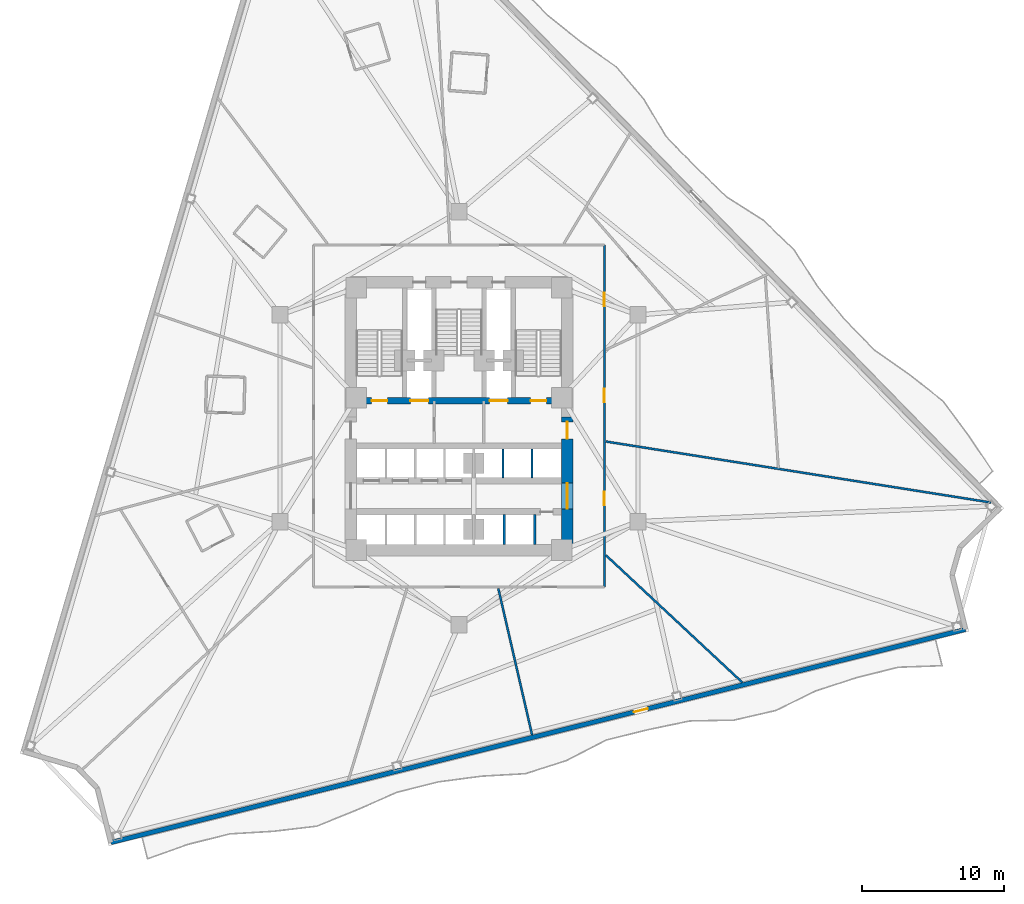
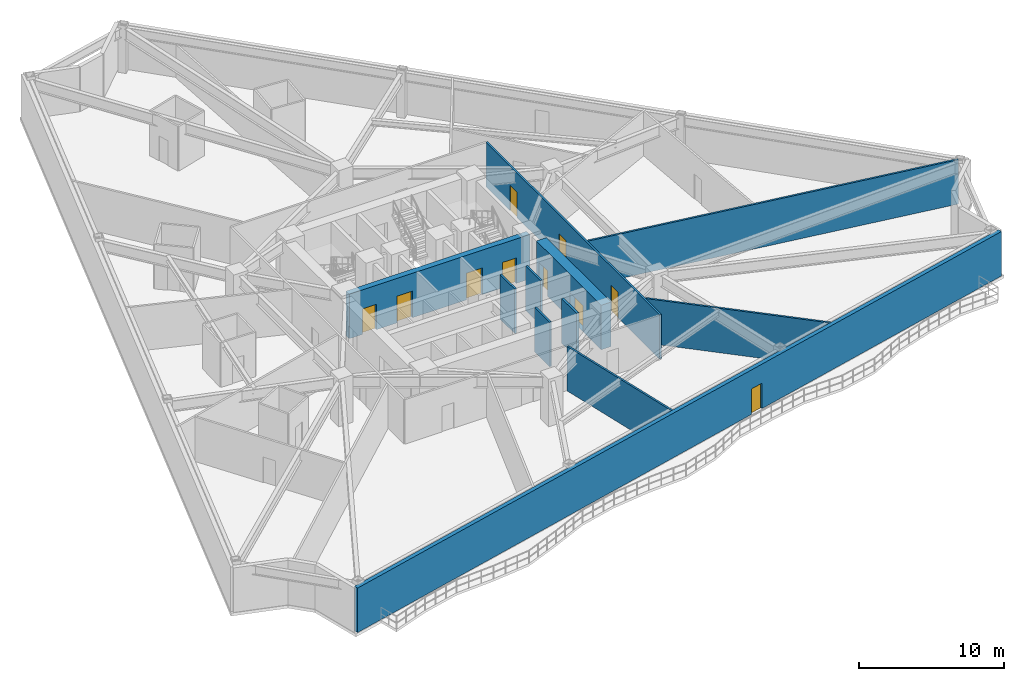
# One storey, part 4 of 9: 11 walls, 10 doors, 10 openings.
"""IFC4 building model written with IfcOpenShell, lengths in metres."""

from ifc_helpers import new_model, si_unit, direction, frame, frame_2d, origin, place, context, subcontext, project, spatial, rectangle, extrude, material, layer, layer_set, type_object, element, fill, save


model = new_model("IFC4")

# Units and contexts
model_context = context("Model", 3, precision=1e-05, world=origin(), true_north=direction((0.0, 1.0)))
body_context = subcontext(model_context, "Body", "Model", "MODEL_VIEW")
ifc_project = project(units=[si_unit("LENGTHUNIT", "METRE"), si_unit("AREAUNIT", "SQUARE_METRE"), si_unit("VOLUMEUNIT", "CUBIC_METRE"), si_unit("PLANEANGLEUNIT", "RADIAN"), si_unit("MASSUNIT", "GRAM", prefix="KILO")], contexts=[model_context])

# Site, building, storey
site_placement = place(None, origin())
site = spatial("IfcSite", under=ifc_project, at=site_placement, CompositionType="ELEMENT")
building_placement = place(site_placement, origin())
building = spatial("IfcBuilding", under=site, at=building_placement, Name="Apsidion Concourse Tower", CompositionType="ELEMENT")
storey_placement = place(building_placement, frame((0.0, 0.0, 111.0)))
storey = spatial("IfcBuildingStorey", under=building, at=storey_placement, Name="L25", CompositionType="ELEMENT", Elevation=111.0)

# Wall, opening, door
ifc_material_1 = material(Name="Precast concrete C40/50", Category="concrete")
ifc_layer_1 = layer(ifc_material_1, 0.320068359375)
ifc_layer_set_1 = layer_set([ifc_layer_1], Name="Precast concrete C40/50")
wall_type_1 = type_object("IfcWallType", Name="WL-EXT-320", PredefinedType="STANDARD", material=ifc_layer_set_1)
wall_1_placement = place(storey_placement, frame((35.546142578125, -14.818359375, 0.0), z_axis=(0.0, 0.0, 1.0), x_axis=(-0.970295883146, -0.241921266428, 0.0)))
wall_1 = element("IfcWall", 1, at=wall_1_placement, inside=storey, type_object=wall_type_1, Name="L25 Precast Stone Facade Wall 05", PredefinedType="STANDARD", context=body_context, shape_type="SweptSolid", body=[
    extrude(rectangle(XDim=61.810791015625, YDim=0.320068359375, at=frame_2d((30.9052734375, 0.0))), origin(), (0.0, 0.0, 1.0), 3.75),
])
opening_1_placement = place(wall_1_placement, frame((22.988037109375, 0.0, 0.0)))
opening_1 = element("IfcOpeningElement", 2, at=opening_1_placement, cuts=wall_1, Name="Opening D-T1R", PredefinedType="OPENING", context=body_context, shape_type="SweptSolid", body=[
    extrude(rectangle(XDim=1.0, YDim=2.14990234375, at=frame_2d((0.5, 1.074951171875))), frame((0.0, 0.169921875, 0.0), z_axis=(0.0, -1.0, 0.0), x_axis=(1.0, 0.0, 0.0)), (0.0, 0.0, 1.0), 0.340087890625),
])
ifc_material_2 = material(Name="Anodised aluminium EN AW-6063 T6", Category="aluminium")
door_type_1 = type_object("IfcDoorType", Name="DR-TER-1022R", OperationType="SINGLE_SWING_RIGHT", PredefinedType="DOOR", material=ifc_material_2)
door_1_placement = place(opening_1_placement, origin())
door_1 = element("IfcDoor", 3, at=door_1_placement, inside=storey, type_object=door_type_1, Name="L25 Balcony Access Door 1", OperationType="SINGLE_SWING_RIGHT", OverallHeight=2.14990234375, OverallWidth=1.0, PredefinedType="DOOR", context=body_context, shape_type="SweptSolid", body=[
    extrude(rectangle(XDim=1.0, YDim=2.14990234375, at=frame_2d((0.5, 1.074951171875))), frame((0.0, 0.02490234375, 0.0), z_axis=(0.0, -1.0, 0.0), x_axis=(1.0, 0.0, 0.0)), (0.0, 0.0, 1.0), 0.050048828125),
])
fill(opening_1, door_1)

# Walls
ifc_material_3 = material(Name="Gypsum plasterboard partition")
ifc_layer_2 = layer(ifc_material_3, 0.14990234375)
ifc_layer_set_2 = layer_set([ifc_layer_2], Name="Gypsum plasterboard partition")
wall_type_2 = type_object("IfcWallType", Name="WL-INT-PAR-150", PredefinedType="PARTITIONING", material=ifc_layer_set_2)
for number, where, z_axis, x_axis, name in (
    (4, (3.074951171875, -4.179931640625, 0.0), (0.0, 0.0, 1.0), (0.0, 1.0, 0.0), "L25 Interior Partition WL-L25-B3DIV-1"),
    (5, (5.125, -4.179931640625, 0.0), (0.0, 0.0, 1.0), (0.0, 1.0, 0.0), "L25 Interior Partition WL-L25-B3DIV-2"),
):
    element("IfcWall", number, at=place(storey_placement, frame(where, z_axis=z_axis, x_axis=x_axis)), inside=storey, type_object=wall_type_2, Name=name, PredefinedType="PARTITIONING", context=body_context, shape_type="SweptSolid", body=[
        extrude(rectangle(XDim=2.030029296875, YDim=0.14990234375, at=frame_2d((1.01513671875, 0.0))), origin(), (0.0, 0.0, 1.0), 3.75),
    ])
wall_2_placement = place(storey_placement, frame((3.175048828125, -8.85009765625, 0.0), z_axis=(0.0, 0.0, 1.0), x_axis=(0.0, 1.0, 0.0)))
element("IfcWall", 6, at=wall_2_placement, inside=storey, type_object=wall_type_2, Name="L25 Interior Partition WL-L25-SHDIV-1", PredefinedType="PARTITIONING", context=body_context, shape_type="SweptSolid", body=[
    extrude(rectangle(XDim=2.080078125, YDim=0.14990234375, at=frame_2d((1.0400390625, 0.0))), origin(), (0.0, 0.0, 1.0), 3.75),
])

# Wall, openings, doors
wall_3_placement = place(storey_placement, frame((10.199951171875, 12.14990234375, 0.0), z_axis=(0.0, 0.0, 1.0), x_axis=(0.0, -1.0, 0.0)))
wall_3 = element("IfcWall", 7, at=wall_3_placement, inside=storey, type_object=wall_type_2, Name="L25 Interior Partition WL-L25-CORR-02", PredefinedType="PARTITIONING", context=body_context, shape_type="SweptSolid", body=[
    extrude(rectangle(XDim=24.0, YDim=0.14990234375, at=frame_2d((12.0, 0.0))), origin(), (0.0, 0.0, 1.0), 3.75),
])
opening_2_placement = place(wall_3_placement, frame((17.29931640625, 0.0, 0.0)))
opening_2 = element("IfcOpeningElement", 8, at=opening_2_placement, cuts=wall_3, Name="Opening D-01L", PredefinedType="OPENING", context=body_context, shape_type="SweptSolid", body=[
    extrude(rectangle(XDim=0.949951171875, YDim=2.14990234375, at=frame_2d((0.47509765625, 1.074951171875))), frame((0.0, 0.0849609375, 0.0), z_axis=(0.0, -1.0, 0.0), x_axis=(1.0, 0.0, 0.0)), (0.0, 0.0, 1.0), 0.169921875),
])
opening_3_placement = place(wall_3_placement, frame((10.09228515625, 0.0, 0.0)))
opening_3 = element("IfcOpeningElement", 9, at=opening_3_placement, cuts=wall_3, Name="Opening D-01R", PredefinedType="OPENING", context=body_context, shape_type="SweptSolid", body=[
    extrude(rectangle(XDim=0.949951171875, YDim=2.14990234375, at=frame_2d((0.47509765625, 1.074951171875))), frame((0.0, 0.0849609375, 0.0), z_axis=(0.0, -1.0, 0.0), x_axis=(1.0, 0.0, 0.0)), (0.0, 0.0, 1.0), 0.169921875),
])
opening_4_placement = place(wall_3_placement, frame((3.32666015625, 0.0, 0.0)))
opening_4 = element("IfcOpeningElement", 10, at=opening_4_placement, cuts=wall_3, Name="Opening D-01L", PredefinedType="OPENING", context=body_context, shape_type="SweptSolid", body=[
    extrude(rectangle(XDim=0.949951171875, YDim=2.14990234375, at=frame_2d((0.47509765625, 1.074951171875))), frame((0.0, 0.0849609375, 0.0), z_axis=(0.0, -1.0, 0.0), x_axis=(1.0, 0.0, 0.0)), (0.0, 0.0, 1.0), 0.169921875),
])
ifc_material_4 = material(Name="Brushed stainless steel 316", Category="steel")
door_type_2 = type_object("IfcDoorType", Name="DR-INT-D01L", OperationType="SINGLE_SWING_LEFT", PredefinedType="DOOR", material=ifc_material_4)
door_2_placement = place(opening_2_placement, origin())
door_2 = element("IfcDoor", 11, at=door_2_placement, inside=storey, type_object=door_type_2, Name="L25 Corridor Entry Door 05", OperationType="SINGLE_SWING_LEFT", OverallHeight=2.14990234375, OverallWidth=0.949951171875, PredefinedType="DOOR", context=body_context, shape_type="SweptSolid", body=[
    extrude(rectangle(XDim=0.949951171875, YDim=2.14990234375, at=frame_2d((0.47509765625, 1.074951171875))), frame((0.0, 0.02490234375, 0.0), z_axis=(0.0, -1.0, 0.0), x_axis=(1.0, 0.0, 0.0)), (0.0, 0.0, 1.0), 0.050048828125),
])
fill(opening_2, door_2)
door_3_placement = place(opening_4_placement, origin())
door_3 = element("IfcDoor", 12, at=door_3_placement, inside=storey, type_object=door_type_2, Name="L25 Corridor Entry Door 07", OperationType="SINGLE_SWING_LEFT", OverallHeight=2.14990234375, OverallWidth=0.949951171875, PredefinedType="DOOR", context=body_context, shape_type="SweptSolid", body=[
    extrude(rectangle(XDim=0.949951171875, YDim=2.14990234375, at=frame_2d((0.47509765625, 1.074951171875))), frame((0.0, 0.02490234375, 0.0), z_axis=(0.0, -1.0, 0.0), x_axis=(1.0, 0.0, 0.0)), (0.0, 0.0, 1.0), 0.050048828125),
])
fill(opening_4, door_3)
door_type_3 = type_object("IfcDoorType", Name="DR-INT-D01R", OperationType="SINGLE_SWING_RIGHT", PredefinedType="DOOR", material=ifc_material_4)
door_4_placement = place(opening_3_placement, origin())
door_4 = element("IfcDoor", 13, at=door_4_placement, inside=storey, type_object=door_type_3, Name="L25 Corridor Entry Door 06", OperationType="SINGLE_SWING_RIGHT", OverallHeight=2.14990234375, OverallWidth=0.949951171875, PredefinedType="DOOR", context=body_context, shape_type="SweptSolid", body=[
    extrude(rectangle(XDim=0.949951171875, YDim=2.14990234375, at=frame_2d((0.47509765625, 1.074951171875))), frame((0.0, 0.02490234375, 0.0), z_axis=(0.0, -1.0, 0.0), x_axis=(1.0, 0.0, 0.0)), (0.0, 0.0, 1.0), 0.050048828125),
])
fill(opening_3, door_4)

# Walls
wall_4_placement = place(storey_placement, frame((2.760009765625, -11.955078125, 0.0), z_axis=(0.0, 0.0, 1.0), x_axis=(0.224945811952, -0.974371275072, 0.0)))
element("IfcWall", 14, at=wall_4_placement, inside=storey, type_object=wall_type_2, Name="L25 Interior Partition WL-L25-RAD-09-1", PredefinedType="PARTITIONING", context=body_context, shape_type="SweptSolid", body=[
    extrude(rectangle(XDim=10.536376953125, YDim=0.14990234375, at=frame_2d((5.26806640625, 0.0))), origin(), (0.0, 0.0, 1.0), 3.75),
])
wall_5_placement = place(storey_placement, frame((10.304931640625, -9.609619140625, 0.0), z_axis=(0.0, 0.0, 1.0), x_axis=(0.731362621349, -0.681988794698, 0.0)))
element("IfcWall", 15, at=wall_5_placement, inside=storey, type_object=wall_type_2, Name="L25 Interior Partition WL-L25-RAD-10-1", PredefinedType="PARTITIONING", context=body_context, shape_type="SweptSolid", body=[
    extrude(rectangle(XDim=13.0986328125, YDim=0.14990234375, at=frame_2d((6.54931640625, 0.0))), origin(), (0.0, 0.0, 1.0), 3.75),
])
wall_6_placement = place(storey_placement, frame((10.304931640625, -1.632080078125, 0.0), z_axis=(0.0, 0.0, 1.0), x_axis=(0.987688570565, -0.156433013064, 0.0)))
element("IfcWall", 16, at=wall_6_placement, inside=storey, type_object=wall_type_2, Name="L25 Interior Partition WL-L25-RAD-11-1", PredefinedType="PARTITIONING", context=body_context, shape_type="SweptSolid", body=[
    extrude(rectangle(XDim=27.367919921875, YDim=0.14990234375, at=frame_2d((13.68408203125, 0.0))), origin(), (0.0, 0.0, 1.0), 3.75),
])
ifc_layer_3 = layer(ifc_material_3, 0.179931640625)
ifc_layer_set_3 = layer_set([ifc_layer_3], Name="Gypsum plasterboard partition")
wall_type_3 = type_object("IfcWallType", Name="WL-INT-PAR-180", PredefinedType="PARTITIONING", material=ifc_layer_set_3)
wall_7_placement = place(storey_placement, frame((5.324951171875, -8.85009765625, 0.0), z_axis=(0.0, 0.0, 1.0), x_axis=(0.0, 1.0, 0.0)))
element("IfcWall", 17, at=wall_7_placement, inside=storey, type_object=wall_type_3, Name="L25 Interior Partition WL-L25-SHDIV-2", PredefinedType="PARTITIONING", context=body_context, shape_type="SweptSolid", body=[
    extrude(rectangle(XDim=2.080078125, YDim=0.179931640625, at=frame_2d((1.0400390625, 0.0))), origin(), (0.0, 0.0, 1.0), 3.75),
])

# Wall, openings, doors
ifc_material_5 = material(Name="Concrete C60/75", Category="concrete")
ifc_layer_4 = layer(ifc_material_5, 0.449951171875)
ifc_layer_set_4 = layer_set([ifc_layer_4], Name="Concrete C60/75")
wall_type_4 = type_object("IfcWallType", Name="WL-SH-450", PredefinedType="SHEAR", material=ifc_layer_set_4)
wall_8_placement = place(storey_placement, frame((-7.199951171875, 1.22509765625, 0.0), z_axis=(0.0, 0.0, 1.0), x_axis=(1.0, 0.0, 0.0)))
wall_8 = element("IfcWall", 18, at=wall_8_placement, inside=storey, type_object=wall_type_4, Name="L25 Central Core Shear Wall M1", PredefinedType="SHEAR", context=body_context, shape_type="SweptSolid", body=[
    extrude(rectangle(XDim=14.39990234375, YDim=0.449951171875, at=frame_2d((7.199951171875, 0.0))), origin(), (0.0, 0.0, 1.0), 3.75),
])
opening_5_placement = place(wall_8_placement, frame((3.794921875, 0.0, 0.0)))
opening_5 = element("IfcOpeningElement", 19, at=opening_5_placement, cuts=wall_8, Name="Opening LD-FF", PredefinedType="OPENING", context=body_context, shape_type="SweptSolid", body=[
    extrude(rectangle(XDim=1.25, YDim=2.25, at=frame_2d((0.625, 1.125))), frame((0.0, 0.23486328125, 0.0), z_axis=(0.0, -1.0, 0.0), x_axis=(1.0, 0.0, 0.0)), (0.0, 0.0, 1.0), 0.469970703125),
])
opening_6_placement = place(wall_8_placement, frame((9.35498046875, 0.0, 0.0)))
opening_6 = element("IfcOpeningElement", 20, at=opening_6_placement, cuts=wall_8, Name="Opening LD-FF", PredefinedType="OPENING", context=body_context, shape_type="SweptSolid", body=[
    extrude(rectangle(XDim=1.25, YDim=2.25, at=frame_2d((0.625, 1.125))), frame((0.0, 0.23486328125, 0.0), z_axis=(0.0, -1.0, 0.0), x_axis=(1.0, 0.0, 0.0)), (0.0, 0.0, 1.0), 0.469970703125),
])
opening_7_placement = place(wall_8_placement, frame((1.074951171875, 0.0, 0.0)))
opening_7 = element("IfcOpeningElement", 21, at=opening_7_placement, cuts=wall_8, Name="Opening D-STL", PredefinedType="OPENING", context=body_context, shape_type="SweptSolid", body=[
    extrude(rectangle(XDim=1.10009765625, YDim=2.14990234375, at=frame_2d((0.550048828125, 1.074951171875))), frame((0.0, 0.23486328125, 0.0), z_axis=(0.0, -1.0, 0.0), x_axis=(1.0, 0.0, 0.0)), (0.0, 0.0, 1.0), 0.469970703125),
])
opening_8_placement = place(wall_8_placement, frame((12.22509765625, 0.0, 0.0)))
opening_8 = element("IfcOpeningElement", 22, at=opening_8_placement, cuts=wall_8, Name="Opening D-STR", PredefinedType="OPENING", context=body_context, shape_type="SweptSolid", body=[
    extrude(rectangle(XDim=1.10009765625, YDim=2.14990234375, at=frame_2d((0.550048828125, 1.074951171875))), frame((0.0, 0.23486328125, 0.0), z_axis=(0.0, -1.0, 0.0), x_axis=(1.0, 0.0, 0.0)), (0.0, 0.0, 1.0), 0.469970703125),
])
door_type_4 = type_object("IfcDoorType", Name="DR-INT-ST1L", OperationType="SINGLE_SWING_LEFT", PredefinedType="DOOR", material=ifc_material_4)
door_5_placement = place(opening_7_placement, origin())
door_5 = element("IfcDoor", 23, at=door_5_placement, inside=storey, type_object=door_type_4, Name="L25 Core Exit Stair ST1 Door", OperationType="SINGLE_SWING_LEFT", OverallHeight=2.14990234375, OverallWidth=1.10009765625, PredefinedType="DOOR", context=body_context, shape_type="SweptSolid", body=[
    extrude(rectangle(XDim=1.10009765625, YDim=2.14990234375, at=frame_2d((0.550048828125, 1.074951171875))), frame((0.0, 0.02490234375, 0.0), z_axis=(0.0, -1.0, 0.0), x_axis=(1.0, 0.0, 0.0)), (0.0, 0.0, 1.0), 0.050048828125),
])
fill(opening_7, door_5)
door_type_5 = type_object("IfcDoorType", Name="DR-INT-ST1R", OperationType="SINGLE_SWING_RIGHT", PredefinedType="DOOR", material=ifc_material_4)
door_6_placement = place(opening_8_placement, origin())
door_6 = element("IfcDoor", 24, at=door_6_placement, inside=storey, type_object=door_type_5, Name="L25 Core Exit Stair ST2 Door", OperationType="SINGLE_SWING_RIGHT", OverallHeight=2.14990234375, OverallWidth=1.10009765625, PredefinedType="DOOR", context=body_context, shape_type="SweptSolid", body=[
    extrude(rectangle(XDim=1.10009765625, YDim=2.14990234375, at=frame_2d((0.550048828125, 1.074951171875))), frame((0.0, 0.02490234375, 0.0), z_axis=(0.0, -1.0, 0.0), x_axis=(1.0, 0.0, 0.0)), (0.0, 0.0, 1.0), 0.050048828125),
])
fill(opening_8, door_6)
door_type_6 = type_object("IfcDoorType", Name="DR-LD-FSAE", OperationType="DOUBLE_DOOR_SLIDING", PredefinedType="DOOR", material=ifc_material_4)
door_7_placement = place(opening_5_placement, origin())
door_7 = element("IfcDoor", 25, at=door_7_placement, inside=storey, type_object=door_type_6, Name="L25 Lift Landing Door FF1", OperationType="DOUBLE_DOOR_SLIDING", OverallHeight=2.25, OverallWidth=1.25, PredefinedType="DOOR", context=body_context, shape_type="SweptSolid", body=[
    extrude(rectangle(XDim=1.25, YDim=2.25, at=frame_2d((0.625, 1.125))), frame((0.0, 0.02490234375, 0.0), z_axis=(0.0, -1.0, 0.0), x_axis=(1.0, 0.0, 0.0)), (0.0, 0.0, 1.0), 0.050048828125),
])
fill(opening_5, door_7)
door_8_placement = place(opening_6_placement, origin())
door_8 = element("IfcDoor", 26, at=door_8_placement, inside=storey, type_object=door_type_6, Name="L25 Lift Landing Door FF2", OperationType="DOUBLE_DOOR_SLIDING", OverallHeight=2.25, OverallWidth=1.25, PredefinedType="DOOR", context=body_context, shape_type="SweptSolid", body=[
    extrude(rectangle(XDim=1.25, YDim=2.25, at=frame_2d((0.625, 1.125))), frame((0.0, 0.02490234375, 0.0), z_axis=(0.0, -1.0, 0.0), x_axis=(1.0, 0.0, 0.0)), (0.0, 0.0, 1.0), 0.050048828125),
])
fill(opening_6, door_8)

ifc_layer_5 = layer(ifc_material_5, 0.800048828125)
ifc_layer_set_5 = layer_set([ifc_layer_5], Name="Concrete C60/75")
wall_type_5 = type_object("IfcWallType", Name="WL-SH-800", PredefinedType="SHEAR", material=ifc_layer_set_5)
wall_9_placement = place(storey_placement, frame((7.60009765625, -8.85009765625, 0.0), z_axis=(0.0, 0.0, 1.0), x_axis=(0.0, 1.0, 0.0)))
wall_9 = element("IfcWall", 27, at=wall_9_placement, inside=storey, type_object=wall_type_5, Name="L25 Central Core Shear Wall ES", PredefinedType="SHEAR", context=body_context, shape_type="SweptSolid", body=[
    extrude(rectangle(XDim=8.9501953125, YDim=0.800048828125, at=frame_2d((4.47509765625, 0.0))), origin(), (0.0, 0.0, 1.0), 3.75),
])
opening_9_placement = place(wall_9_placement, frame((2.489990234375, 0.0, 0.0)))
opening_9 = element("IfcOpeningElement", 28, at=opening_9_placement, cuts=wall_9, Name="Opening D-06D", PredefinedType="OPENING", context=body_context, shape_type="SweptSolid", body=[
    extrude(rectangle(XDim=1.800048828125, YDim=2.199951171875, at=frame_2d((0.89990234375, 1.10009765625))), frame((0.0, 0.41015625, 0.0), z_axis=(0.0, -1.0, 0.0), x_axis=(1.0, 0.0, 0.0)), (0.0, 0.0, 1.0), 0.820068359375),
])
opening_10_placement = place(wall_9_placement, frame((7.39990234375, 0.0, 0.0)))
opening_10 = element("IfcOpeningElement", 29, at=opening_10_placement, cuts=wall_9, Name="Opening D-FFR", PredefinedType="OPENING", context=body_context, shape_type="SweptSolid", body=[
    extrude(rectangle(XDim=1.199951171875, YDim=2.14990234375, at=frame_2d((0.60009765625, 1.074951171875))), frame((0.0, 0.41015625, 0.0), z_axis=(0.0, -1.0, 0.0), x_axis=(1.0, 0.0, 0.0)), (0.0, 0.0, 1.0), 0.820068359375),
])
door_type_7 = type_object("IfcDoorType", Name="DR-INT-D06D", OperationType="DOUBLE_DOOR_SINGLE_SWING", PredefinedType="DOOR", material=ifc_material_4)
door_9_placement = place(opening_9_placement, origin())
door_9 = element("IfcDoor", 30, at=door_9_placement, inside=storey, type_object=door_type_7, Name="L25 Passenger Lift Lobby ES Portal Door", OperationType="DOUBLE_DOOR_SINGLE_SWING", OverallHeight=2.199951171875, OverallWidth=1.800048828125, PredefinedType="DOOR", context=body_context, shape_type="SweptSolid", body=[
    extrude(rectangle(XDim=1.800048828125, YDim=2.199951171875, at=frame_2d((0.89990234375, 1.10009765625))), frame((0.0, 0.02490234375, 0.0), z_axis=(0.0, -1.0, 0.0), x_axis=(1.0, 0.0, 0.0)), (0.0, 0.0, 1.0), 0.050048828125),
])
fill(opening_9, door_9)
door_type_8 = type_object("IfcDoorType", Name="DR-INT-FFR", OperationType="SINGLE_SWING_RIGHT", PredefinedType="DOOR", material=ifc_material_4)
door_10_placement = place(opening_10_placement, origin())
door_10 = element("IfcDoor", 31, at=door_10_placement, inside=storey, type_object=door_type_8, Name="L25 Firefighting Lift Lobby FF2 Door", OperationType="SINGLE_SWING_RIGHT", OverallHeight=2.14990234375, OverallWidth=1.199951171875, PredefinedType="DOOR", context=body_context, shape_type="SweptSolid", body=[
    extrude(rectangle(XDim=1.199951171875, YDim=2.14990234375, at=frame_2d((0.60009765625, 1.074951171875))), frame((0.0, 0.02490234375, 0.0), z_axis=(0.0, -1.0, 0.0), x_axis=(1.0, 0.0, 0.0)), (0.0, 0.0, 1.0), 0.050048828125),
])
fill(opening_10, door_10)

save(model, "model.ifc")
